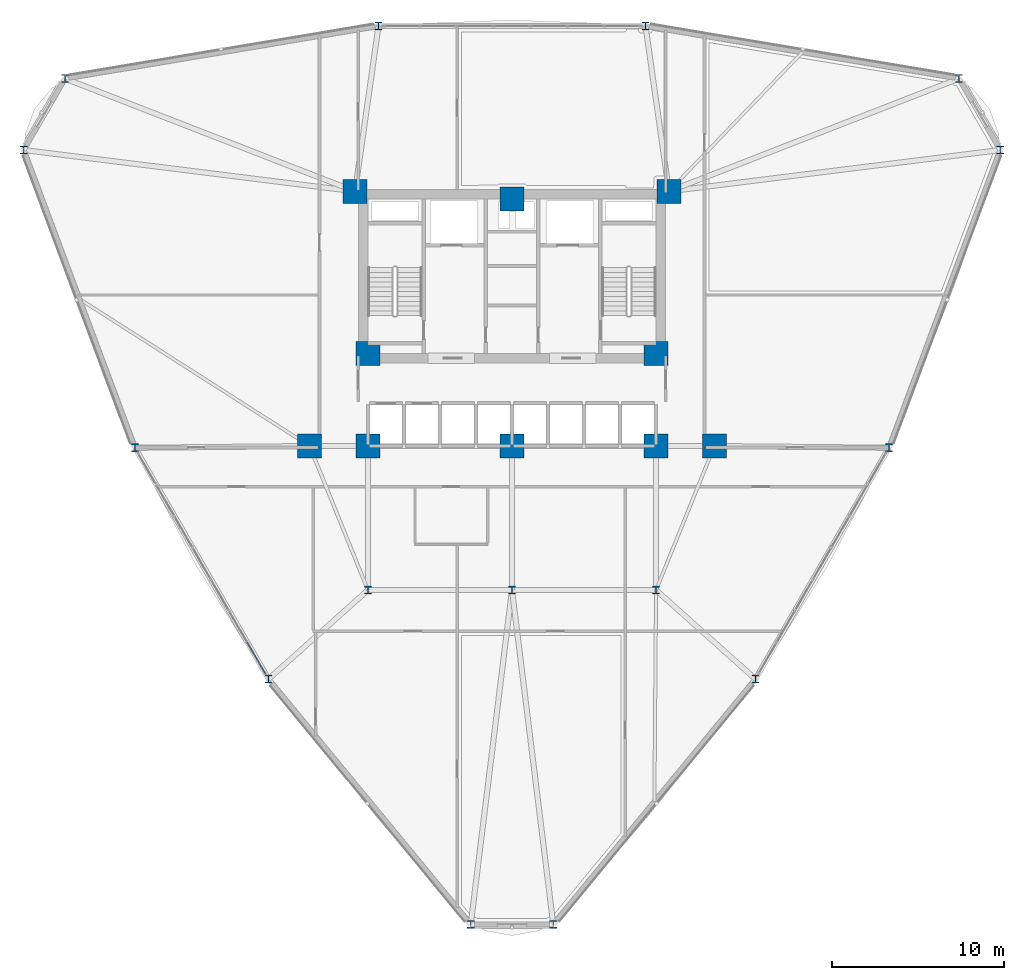
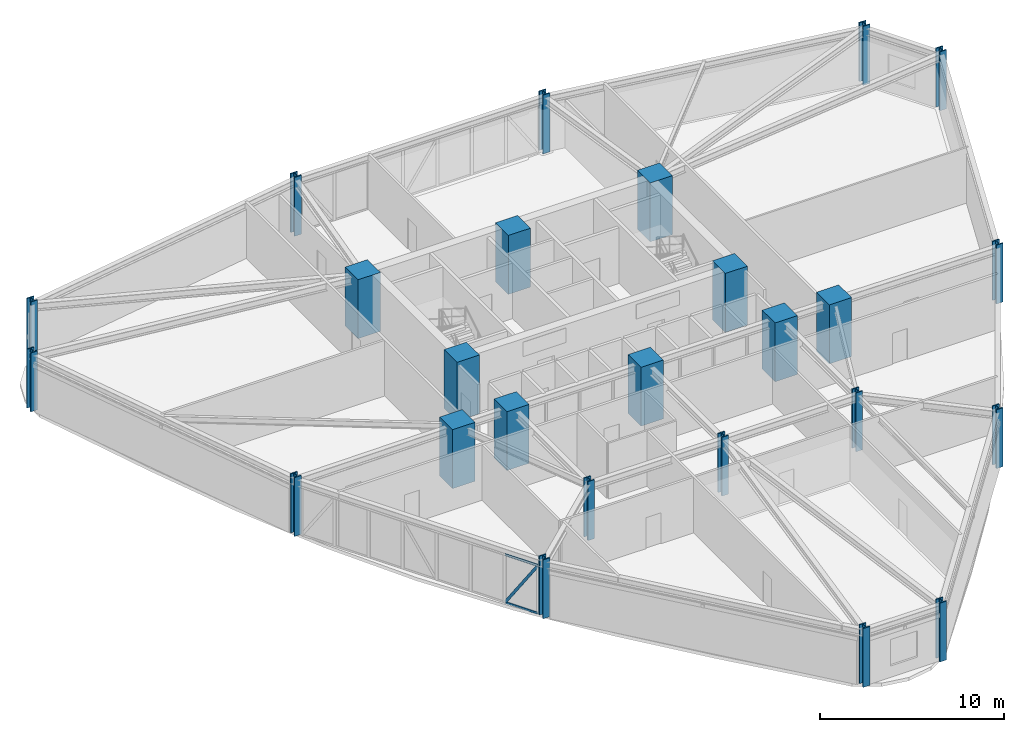
# One storey, part 1 of 22: 25 columns, 3 members, 1 element without a shape of its own.
"""IFC4 building model written with IfcOpenShell, lengths in metres."""

from ifc_helpers import new_model, si_unit, derived_unit, direction, frame, origin, origin_2d, place, context, subcontext, project, spatial, rectangle, hollow_rectangle, i_section, extrude, source, transform, mapped, material, layer, layer_set, material_profile, profile_set, type_object, element, aggregate, save


model = new_model("IFC4")

# Units and contexts
model_context = context("Model", 3, precision=1e-05, world=origin(), true_north=direction((0.0, 1.0)))
body_context = subcontext(model_context, "Body", "Model", "MODEL_VIEW")
ifc_project = project(units=[si_unit("LENGTHUNIT", "METRE"), si_unit("AREAUNIT", "SQUARE_METRE"), si_unit("VOLUMEUNIT", "CUBIC_METRE"), si_unit("PLANEANGLEUNIT", "RADIAN"), si_unit("MASSUNIT", "GRAM", prefix="KILO"), derived_unit("THERMALTRANSMITTANCEUNIT", [(si_unit("POWERUNIT", "WATT"), 1), (si_unit("LENGTHUNIT", "METRE"), -2), (si_unit("THERMODYNAMICTEMPERATUREUNIT", "KELVIN"), -1)])], contexts=[model_context])

# Site, building, storey
site_placement = place(None, origin())
site = spatial("IfcSite", under=ifc_project, at=site_placement, CompositionType="ELEMENT")
building_placement = place(site_placement, origin())
building = spatial("IfcBuilding", under=site, at=building_placement, Name="Korsvarv Bourse and Concert Hall", CompositionType="ELEMENT")
storey_placement = place(building_placement, frame((0.0, 0.0, 51.300048828125)))
storey = spatial("IfcBuildingStorey", under=building, at=storey_placement, Name="L12", CompositionType="ELEMENT", Elevation=51.300048828125)

# Columns
ifc_material_1 = material(Name="Concrete C60/75", Category="concrete")
ifc_material_profile_1 = material_profile(ifc_material_1, rectangle(XDim=1.39990234375, YDim=1.39990234375, at=origin_2d()), Name="RC 1400x1400")
ifc_profile_set_1 = profile_set([ifc_material_profile_1], Name="Concrete C60/75")
column_type_1 = type_object("IfcColumnType", Name="COL-RC1400", PredefinedType="COLUMN", material=ifc_profile_set_1)
shared_shape_1 = source(origin(), body_context, "Body", "SweptSolid", [
    extrude(rectangle(XDim=1.39990234375, YDim=1.39990234375, at=origin_2d()), origin(), (0.0, 0.0, 1.0), 3.89990234375),
])
for number, where, z_axis, x_axis, name in (
    (1, (26.85009765625, 47.25, 0.0), (0.0, 0.0, 1.0), (1.0, 0.0, 0.0), "L12 column C-01"),
    (2, (45.14990234375, 47.25, 0.0), (0.0, 0.0, 1.0), (1.0, 0.0, 0.0), "L12 column C-01"),
    (3, (27.60009765625, 37.800048828125, 0.0), (0.0, 0.0, 1.0), (1.0, 0.0, 0.0), "L12 column C-01"),
    (4, (44.39990234375, 37.800048828125, 0.0), (0.0, 0.0, 1.0), (1.0, 0.0, 0.0), "L12 column C-01"),
    (5, (27.60009765625, 32.39990234375, 0.0), (0.0, 0.0, 1.0), (1.0, 0.0, 0.0), "L12 column C-01"),
    (6, (44.39990234375, 32.39990234375, 0.0), (0.0, 0.0, 1.0), (1.0, 0.0, 0.0), "L12 column C-01"),
    (7, (36.0, 46.800048828125, 0.0), (0.0, 0.0, 1.0), (1.0, 0.0, 0.0), "L12 column C-01"),
    (8, (36.0, 32.39990234375, 0.0), (0.0, 0.0, 1.0), (1.0, 0.0, 0.0), "L12 column C-01"),
    (9, (24.199951171875, 32.39990234375, 0.0), (0.0, 0.0, 1.0), (1.0, 0.0, 0.0), "L12 column C-01"),
    (10, (47.800048828125, 32.39990234375, 0.0), (0.0, 0.0, 1.0), (1.0, 0.0, 0.0), "L12 column C-01"),
):
    element("IfcColumn", number, at=place(storey_placement, frame(where, z_axis=z_axis, x_axis=x_axis)), inside=storey, type_object=column_type_1, Name=name, PredefinedType="COLUMN", context=body_context, shape_type="MappedRepresentation", body=[
        mapped(shared_shape_1, transform((0.0, 0.0, 0.0), scale=1.0)),
    ])
ifc_material_2 = material(Name="Steel S460", Category="steel")
ifc_material_profile_2 = material_profile(ifc_material_2, i_section(OverallWidth=0.424072265625, OverallDepth=0.47412109375, WebThickness=0.044921875, FlangeThickness=0.072021484375, FilletRadius=0.014892578125, at=origin_2d()), Name="HD 400x634")
ifc_profile_set_2 = profile_set([ifc_material_profile_2], Name="Steel S460")
column_type_2 = type_object("IfcColumnType", Name="COL-HD634", PredefinedType="COLUMN", material=ifc_profile_set_2)
shared_shape_2 = source(origin(), body_context, "Body", "SweptSolid", [
    extrude(i_section(OverallWidth=0.424072265625, OverallDepth=0.47412109375, WebThickness=0.044921875, FlangeThickness=0.072021484375, FilletRadius=0.014892578125, at=origin_2d()), origin(), (0.0, 0.0, 1.0), 3.89990234375),
])
for number, where, z_axis, x_axis, name in (
    (11, (27.60009765625, 24.0, 0.0), (0.0, 0.0, 1.0), (1.0, 0.0, 0.0), "L12 column C-07"),
    (12, (44.39990234375, 24.0, 0.0), (0.0, 0.0, 1.0), (1.0, 0.0, 0.0), "L12 column C-07"),
    (13, (36.0, 24.0, 0.0), (0.0, 0.0, 1.0), (1.0, 0.0, 0.0), "L12 column C-07"),
    (14, (64.474609375, 49.662353515625, 0.0), (0.0, 0.0, 1.0), (1.0, 0.0, 0.0), "L12 column C-07"),
    (15, (62.069091796875, 53.82861328125, 0.0), (0.0, 0.0, 1.0), (1.0, 0.0, 0.0), "L12 column C-07"),
    (16, (43.78466796875, 56.889404296875, 0.0), (0.0, 0.0, 1.0), (1.0, 0.0, 0.0), "L12 column C-07"),
    (17, (28.21533203125, 56.889404296875, 0.0), (0.0, 0.0, 1.0), (1.0, 0.0, 0.0), "L12 column C-07"),
    (18, (9.930908203125, 53.82861328125, 0.0), (0.0, 0.0, 1.0), (1.0, 0.0, 0.0), "L12 column C-07"),
    (19, (7.525390625, 49.662353515625, 0.0), (0.0, 0.0, 1.0), (1.0, 0.0, 0.0), "L12 column C-07"),
    (20, (14.016845703125, 32.297119140625, 0.0), (0.0, 0.0, 1.0), (1.0, 0.0, 0.0), "L12 column C-07"),
    (21, (21.801513671875, 18.8134765625, 0.0), (0.0, 0.0, 1.0), (1.0, 0.0, 0.0), "L12 column C-07"),
    (22, (33.5947265625, 4.509033203125, 0.0), (0.0, 0.0, 1.0), (1.0, 0.0, 0.0), "L12 column C-07"),
    (23, (38.4052734375, 4.509033203125, 0.0), (0.0, 0.0, 1.0), (1.0, 0.0, 0.0), "L12 column C-07"),
    (24, (50.198486328125, 18.8134765625, 0.0), (0.0, 0.0, 1.0), (1.0, 0.0, 0.0), "L12 column C-07"),
    (25, (57.983154296875, 32.297119140625, 0.0), (0.0, 0.0, 1.0), (1.0, 0.0, 0.0), "L12 column C-07"),
):
    element("IfcColumn", number, at=place(storey_placement, frame(where, z_axis=z_axis, x_axis=x_axis)), inside=storey, type_object=column_type_2, Name=name, PredefinedType="COLUMN", context=body_context, shape_type="MappedRepresentation", body=[
        mapped(shared_shape_2, transform((0.0, 0.0, 0.0), scale=1.0)),
    ])

# Curtain wall, members
ifc_material_3 = material(Name="Anodised aluminium and triple low-E glazing", Category="glass")
ifc_layer = layer(ifc_material_3, 0.219970703125)
ifc_layer_set = layer_set([ifc_layer], Name="Anodised aluminium and triple low-E glazing")
curtain_wall_type = type_object("IfcCurtainWallType", Name="CW-SYS-1", PredefinedType="NOTDEFINED", material=ifc_layer_set)
curtain_wall_placement = place(storey_placement, origin())
curtain_wall = element("IfcCurtainWall", 26, at=curtain_wall_placement, inside=storey, type_object=curtain_wall_type, Name="L12 CW1 curtain wall CW-L12-F07", PredefinedType="NOTDEFINED")
ifc_material_4 = material(Name="Extruded aluminium EN AW-6063 T66", Category="aluminium")
ifc_material_profile_3 = material_profile(ifc_material_4, hollow_rectangle(XDim=0.06494140625, YDim=0.139892578125, WallThickness=0.00390625, at=origin_2d()), Name="ALU-T 65x140")
ifc_profile_set_3 = profile_set([ifc_material_profile_3], Name="Extruded aluminium EN AW-6063 T66")
member_type_1 = type_object("IfcMemberType", Name="CWT-140", PredefinedType="USERDEFINED", material=ifc_profile_set_3)
shared_shape_3 = source(origin(), body_context, "Body", "SweptSolid", [
    extrude(hollow_rectangle(XDim=0.06494140625, YDim=0.139892578125, WallThickness=0.00390625, at=origin_2d()), origin(), (0.0, 0.0, 1.0), 2.0244140625),
])
member_1_placement = place(storey_placement, frame((20.588623046875, 20.914306640625, 0.032470703125), z_axis=(0.500004315964, -0.866022911947, 0.0), x_axis=(0.866022911947, 0.500004315964, 0.0)))
member_1 = element("IfcMember", 27, at=member_1_placement, type_object=member_type_1, Name="CW1 transom 7.1", ObjectType="TRANSOM", PredefinedType="USERDEFINED", context=body_context, shape_type="MappedRepresentation", body=[
    mapped(shared_shape_3, transform((0.0, 0.0, 0.0), scale=1.0)),
])
member_2_placement = place(storey_placement, frame((20.588623046875, 20.914306640625, 3.197509765625), z_axis=(0.500004315964, -0.866022911947, 0.0), x_axis=(0.866022911947, 0.500004315964, 0.0)))
member_2 = element("IfcMember", 28, at=member_2_placement, type_object=member_type_1, Name="CW1 transom 7.2", ObjectType="TRANSOM", PredefinedType="USERDEFINED", context=body_context, shape_type="MappedRepresentation", body=[
    mapped(shared_shape_3, transform((0.0, 0.0, 0.0), scale=1.0)),
])
ifc_material_profile_4 = material_profile(ifc_material_4, hollow_rectangle(XDim=0.06494140625, YDim=0.1650390625, WallThickness=0.0048828125, at=origin_2d()), Name="ALU-M 65x165")
ifc_profile_set_4 = profile_set([ifc_material_profile_4], Name="Extruded aluminium EN AW-6063 T66")
member_type_2 = type_object("IfcMemberType", Name="CWM-165", PredefinedType="MULLION", material=ifc_profile_set_4)
shared_shape_4 = source(origin(), body_context, "Body", "SweptSolid", [
    extrude(hollow_rectangle(XDim=0.06494140625, YDim=0.1650390625, WallThickness=0.0048828125, at=origin_2d()), origin(), (0.0, 0.0, 1.0), 3.70263671875),
])
member_3_placement = place(storey_placement, frame((20.588623046875, 20.914306640625, 0.06494140625), z_axis=(0.273381948826, -0.473505975524, 0.837289914664), x_axis=(0.866022911947, 0.500004315964, 0.0)))
member_3 = element("IfcMember", 29, at=member_3_placement, type_object=member_type_2, Name="CW1 diagonal mullion 7", PredefinedType="MULLION", context=body_context, shape_type="MappedRepresentation", body=[
    mapped(shared_shape_4, transform((0.0, 0.0, 0.0), scale=1.0)),
])
aggregate(curtain_wall, [member_1, member_2, member_3])

save(model, "model.ifc")
